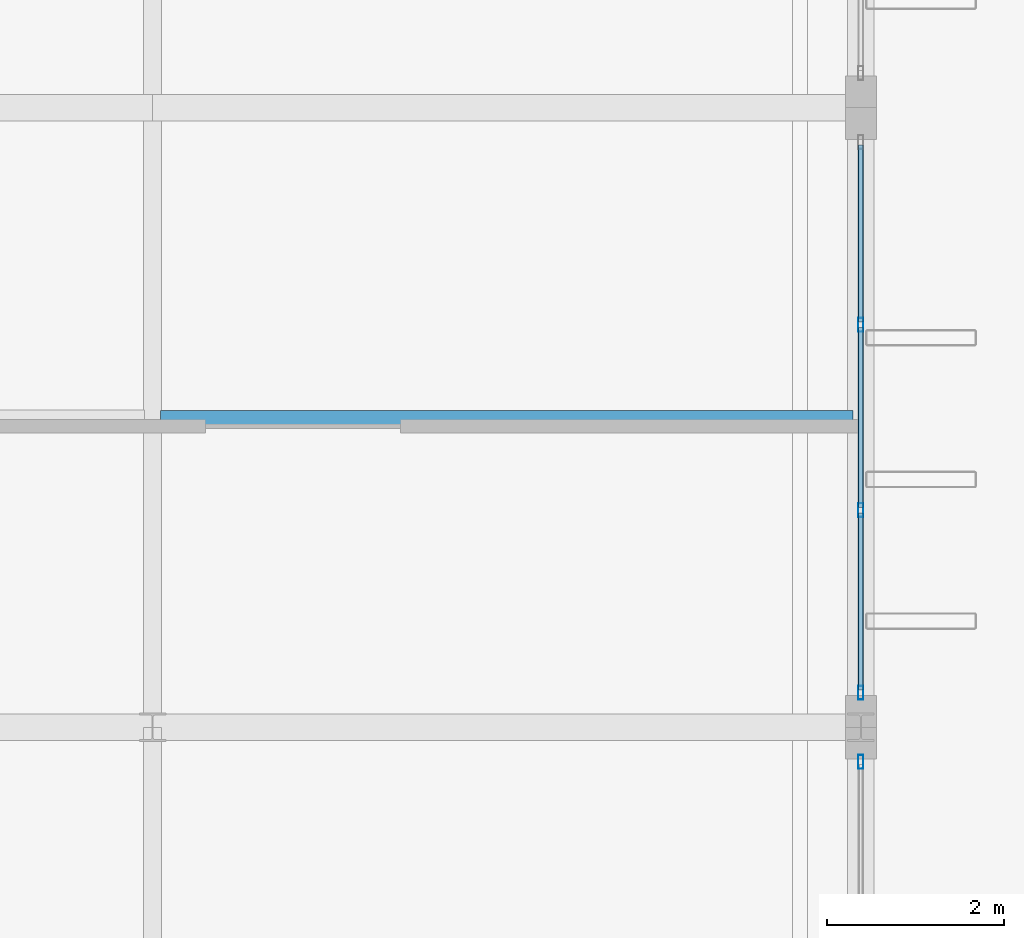
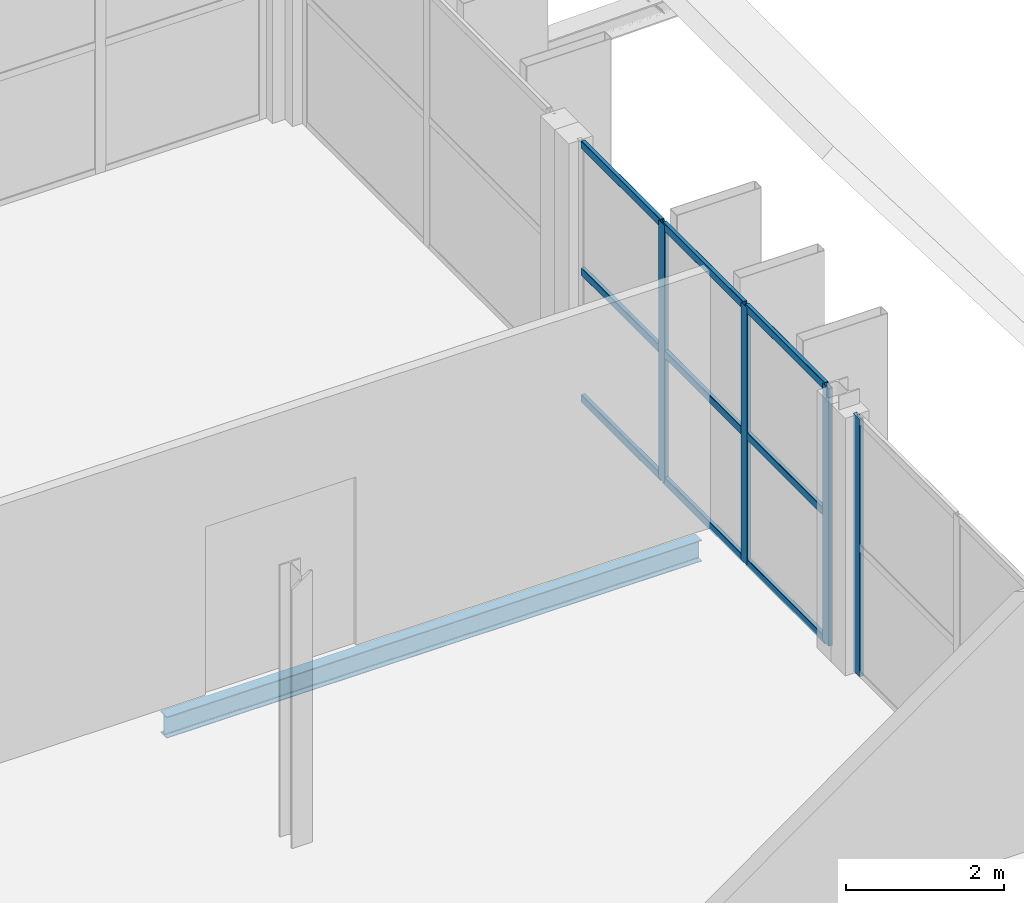
# One storey, part 53 of 93: 13 members, 1 beam, 2 elements without a shape of their own.
"""IFC4 building model written with IfcOpenShell, lengths in metres."""

from ifc_helpers import new_model, si_unit, direction, frame, origin, origin_2d, place, context, subcontext, project, spatial, hollow_rectangle, i_section, extrude, material, layer, layer_set, material_profile, profile_set, type_object, element, aggregate, save


model = new_model("IFC4")

# Units and contexts
model_context = context("Model", 3, precision=1e-05, world=origin(), true_north=direction((0.0, 1.0)))
body_context = subcontext(model_context, "Body", "Model", "MODEL_VIEW")
ifc_project = project(units=[si_unit("LENGTHUNIT", "METRE"), si_unit("AREAUNIT", "SQUARE_METRE"), si_unit("VOLUMEUNIT", "CUBIC_METRE"), si_unit("PLANEANGLEUNIT", "RADIAN"), si_unit("MASSUNIT", "GRAM", prefix="KILO")], contexts=[model_context])

# Site, building, storey
site_placement = place(None, origin())
site = spatial("IfcSite", under=ifc_project, at=site_placement, CompositionType="ELEMENT")
building_placement = place(site_placement, origin())
building = spatial("IfcBuilding", under=site, at=building_placement, Name="Vekula Escarpment Museum", CompositionType="ELEMENT")
storey_placement = place(building_placement, frame((0.0, 0.0, 22.199951171875)))
storey = spatial("IfcBuildingStorey", under=building, at=storey_placement, Name="L05", CompositionType="ELEMENT", Elevation=22.199951171875)

# Beam
ifc_material_1 = material(Name="Steel S355", Category="steel")
ifc_material_profile_1 = material_profile(ifc_material_1, i_section(OverallWidth=0.159912109375, OverallDepth=0.330078125, WebThickness=0.007568359375, FlangeThickness=0.011474609375, FilletRadius=0.01806640625, at=origin_2d()), Name="IPE 330")
ifc_profile_set_1 = profile_set([ifc_material_profile_1], Name="Steel S355")
beam_type = type_object("IfcBeamType", Name="BM-JST-IPE330", PredefinedType="JOIST", material=ifc_profile_set_1)
beam_placement = place(storey_placement, frame((118.090087890625, 79.89990234375, -0.385009765625), z_axis=(1.0, 0.0, 0.0), x_axis=(0.0, 1.0, 0.0)))
element("IfcBeam", 1, at=beam_placement, inside=storey, type_object=beam_type, Name="Secondary Joist L05 1379", PredefinedType="JOIST", context=body_context, shape_type="SweptSolid", body=[
    extrude(i_section(OverallWidth=0.159912109375, OverallDepth=0.330078125, WebThickness=0.007568359375, FlangeThickness=0.011474609375, FilletRadius=0.01806640625, at=origin_2d()), origin(), (0.0, 0.0, 1.0), 7.81982421875),
])

# Curtain wall, member
ifc_material_2 = material(Name="Aluminium thermally broken framing", Category="aluminium")
ifc_layer_1 = layer(ifc_material_2, 0.199951171875)
ifc_layer_set_1 = layer_set([ifc_layer_1], Name="Aluminium thermally broken framing")
curtain_wall_type_1 = type_object("IfcCurtainWallType", Name="CW-SYS-03", PredefinedType="NOTDEFINED", material=ifc_layer_set_1)
curtain_wall_1_placement = place(storey_placement, origin())
curtain_wall_1 = element("IfcCurtainWall", 2, at=curtain_wall_1_placement, inside=storey, type_object=curtain_wall_type_1, Name="Curtain Wall CW-L05-173", PredefinedType="NOTDEFINED")
ifc_material_3 = material(Name="Aluminium anodized mullion", Category="aluminium")
ifc_material_profile_2 = material_profile(ifc_material_3, hollow_rectangle(XDim=0.06005859375, YDim=0.159912109375, WallThickness=0.00390625, InnerFilletRadius=0.00390625, OuterFilletRadius=0.008056640625, at=origin_2d()), Name="ALU 160x60x4")
ifc_profile_set_2 = profile_set([ifc_material_profile_2], Name="Aluminium anodized mullion")
member_type_1 = type_object("IfcMemberType", Name="CW-MUL-160", PredefinedType="MULLION", material=ifc_profile_set_2)
member_1_placement = place(storey_placement, frame((126.0, 76.010009765625, 0.0), z_axis=(0.0, 0.0, 1.0), x_axis=(-1.0, 0.0, 0.0)))
member_1 = element("IfcMember", 3, at=member_1_placement, type_object=member_type_1, Name="CW-03 mullion 4", PredefinedType="MULLION", context=body_context, shape_type="SweptSolid", body=[
    extrude(hollow_rectangle(XDim=0.06005859375, YDim=0.159912109375, WallThickness=0.00390625, InnerFilletRadius=0.00390625, OuterFilletRadius=0.008056640625, at=origin_2d()), origin(), (0.0, 0.0, 1.0), 3.97998046875),
])
aggregate(curtain_wall_1, [member_1])

# Curtain wall, members
ifc_material_4 = material(Name="Aluminium thermally broken framing", Category="aluminium")
ifc_layer_2 = layer(ifc_material_4, 0.199951171875)
ifc_layer_set_2 = layer_set([ifc_layer_2], Name="Aluminium thermally broken framing")
curtain_wall_type_2 = type_object("IfcCurtainWallType", Name="CW-SYS-04", PredefinedType="NOTDEFINED", material=ifc_layer_set_2)
curtain_wall_2_placement = place(storey_placement, origin())
curtain_wall_2 = element("IfcCurtainWall", 4, at=curtain_wall_2_placement, inside=storey, type_object=curtain_wall_type_2, Name="Curtain Wall CW-L05-174", PredefinedType="NOTDEFINED")
member_2_placement = place(storey_placement, frame((126.0, 76.7900390625, 0.0), z_axis=(0.0, 0.0, 1.0), x_axis=(-1.0, 0.0, 0.0)))
member_2 = element("IfcMember", 5, at=member_2_placement, type_object=member_type_1, Name="CW-04 mullion 1", PredefinedType="MULLION", context=body_context, shape_type="SweptSolid", body=[
    extrude(hollow_rectangle(XDim=0.06005859375, YDim=0.159912109375, WallThickness=0.00390625, InnerFilletRadius=0.00390625, OuterFilletRadius=0.008056640625, at=origin_2d()), origin(), (0.0, 0.0, 1.0), 3.97998046875),
])
member_3_placement = place(storey_placement, frame((126.0, 78.853271484375, 0.0), z_axis=(0.0, 0.0, 1.0), x_axis=(-1.0, 0.0, 0.0)))
member_3 = element("IfcMember", 6, at=member_3_placement, type_object=member_type_1, Name="CW-04 mullion 2", PredefinedType="MULLION", context=body_context, shape_type="SweptSolid", body=[
    extrude(hollow_rectangle(XDim=0.06005859375, YDim=0.159912109375, WallThickness=0.00390625, InnerFilletRadius=0.00390625, OuterFilletRadius=0.008056640625, at=origin_2d()), origin(), (0.0, 0.0, 1.0), 3.97998046875),
])
member_4_placement = place(storey_placement, frame((126.0, 80.94677734375, 0.0), z_axis=(0.0, 0.0, 1.0), x_axis=(-1.0, 0.0, 0.0)))
member_4 = element("IfcMember", 7, at=member_4_placement, type_object=member_type_1, Name="CW-04 mullion 3", PredefinedType="MULLION", context=body_context, shape_type="SweptSolid", body=[
    extrude(hollow_rectangle(XDim=0.06005859375, YDim=0.159912109375, WallThickness=0.00390625, InnerFilletRadius=0.00390625, OuterFilletRadius=0.008056640625, at=origin_2d()), origin(), (0.0, 0.0, 1.0), 3.97998046875),
])
ifc_material_5 = material(Name="Aluminium anodized transom", Category="aluminium")
ifc_material_profile_3 = material_profile(ifc_material_5, hollow_rectangle(XDim=0.06005859375, YDim=0.1201171875, WallThickness=0.00390625, InnerFilletRadius=0.00390625, OuterFilletRadius=0.008056640625, at=origin_2d()), Name="ALU 120x60x4")
ifc_profile_set_3 = profile_set([ifc_material_profile_3], Name="Aluminium anodized transom")
member_type_2 = type_object("IfcMemberType", Name="CW-TRN-120", PredefinedType="USERDEFINED", material=ifc_profile_set_3)
member_5_placement = place(storey_placement, frame((126.0, 76.820068359375, 0.030029296875), z_axis=(0.0, 1.0, 0.0), x_axis=(-1.0, 0.0, 0.0)))
member_5 = element("IfcMember", 8, at=member_5_placement, type_object=member_type_2, Name="CW-04 transom 1.1", ObjectType="TRANSOM", PredefinedType="USERDEFINED", context=body_context, shape_type="SweptSolid", body=[
    extrude(hollow_rectangle(XDim=0.06005859375, YDim=0.1201171875, WallThickness=0.00390625, InnerFilletRadius=0.00390625, OuterFilletRadius=0.008056640625, at=origin_2d()), origin(), (0.0, 0.0, 1.0), 2.003173828125),
])
member_6_placement = place(storey_placement, frame((126.0, 76.820068359375, 1.989990234375), z_axis=(0.0, 1.0, 0.0), x_axis=(-1.0, 0.0, 0.0)))
member_6 = element("IfcMember", 9, at=member_6_placement, type_object=member_type_2, Name="CW-04 transom 1.2", ObjectType="TRANSOM", PredefinedType="USERDEFINED", context=body_context, shape_type="SweptSolid", body=[
    extrude(hollow_rectangle(XDim=0.06005859375, YDim=0.1201171875, WallThickness=0.00390625, InnerFilletRadius=0.00390625, OuterFilletRadius=0.008056640625, at=origin_2d()), origin(), (0.0, 0.0, 1.0), 2.003173828125),
])
member_7_placement = place(storey_placement, frame((126.0, 76.820068359375, 3.949951171875), z_axis=(0.0, 1.0, 0.0), x_axis=(-1.0, 0.0, 0.0)))
member_7 = element("IfcMember", 10, at=member_7_placement, type_object=member_type_2, Name="CW-04 transom 1.3", ObjectType="TRANSOM", PredefinedType="USERDEFINED", context=body_context, shape_type="SweptSolid", body=[
    extrude(hollow_rectangle(XDim=0.06005859375, YDim=0.1201171875, WallThickness=0.00390625, InnerFilletRadius=0.00390625, OuterFilletRadius=0.008056640625, at=origin_2d()), origin(), (0.0, 0.0, 1.0), 2.003173828125),
])
member_8_placement = place(storey_placement, frame((126.0, 78.88330078125, 0.030029296875), z_axis=(0.0, 1.0, 0.0), x_axis=(-1.0, 0.0, 0.0)))
member_8 = element("IfcMember", 11, at=member_8_placement, type_object=member_type_2, Name="CW-04 transom 2.1", ObjectType="TRANSOM", PredefinedType="USERDEFINED", context=body_context, shape_type="SweptSolid", body=[
    extrude(hollow_rectangle(XDim=0.06005859375, YDim=0.1201171875, WallThickness=0.00390625, InnerFilletRadius=0.00390625, OuterFilletRadius=0.008056640625, at=origin_2d()), origin(), (0.0, 0.0, 1.0), 2.033447265625),
])
member_9_placement = place(storey_placement, frame((126.0, 78.88330078125, 1.989990234375), z_axis=(0.0, 1.0, 0.0), x_axis=(-1.0, 0.0, 0.0)))
member_9 = element("IfcMember", 12, at=member_9_placement, type_object=member_type_2, Name="CW-04 transom 2.2", ObjectType="TRANSOM", PredefinedType="USERDEFINED", context=body_context, shape_type="SweptSolid", body=[
    extrude(hollow_rectangle(XDim=0.06005859375, YDim=0.1201171875, WallThickness=0.00390625, InnerFilletRadius=0.00390625, OuterFilletRadius=0.008056640625, at=origin_2d()), origin(), (0.0, 0.0, 1.0), 2.033447265625),
])
member_10_placement = place(storey_placement, frame((126.0, 78.88330078125, 3.949951171875), z_axis=(0.0, 1.0, 0.0), x_axis=(-1.0, 0.0, 0.0)))
member_10 = element("IfcMember", 13, at=member_10_placement, type_object=member_type_2, Name="CW-04 transom 2.3", ObjectType="TRANSOM", PredefinedType="USERDEFINED", context=body_context, shape_type="SweptSolid", body=[
    extrude(hollow_rectangle(XDim=0.06005859375, YDim=0.1201171875, WallThickness=0.00390625, InnerFilletRadius=0.00390625, OuterFilletRadius=0.008056640625, at=origin_2d()), origin(), (0.0, 0.0, 1.0), 2.033447265625),
])
member_11_placement = place(storey_placement, frame((126.0, 80.9765625, 0.030029296875), z_axis=(0.0, 1.0, 0.0), x_axis=(-1.0, 0.0, 0.0)))
member_11 = element("IfcMember", 14, at=member_11_placement, type_object=member_type_2, Name="CW-04 transom 3.1", ObjectType="TRANSOM", PredefinedType="USERDEFINED", context=body_context, shape_type="SweptSolid", body=[
    extrude(hollow_rectangle(XDim=0.06005859375, YDim=0.1201171875, WallThickness=0.00390625, InnerFilletRadius=0.00390625, OuterFilletRadius=0.008056640625, at=origin_2d()), origin(), (0.0, 0.0, 1.0), 2.00341796875),
])
member_12_placement = place(storey_placement, frame((126.0, 80.9765625, 1.989990234375), z_axis=(0.0, 1.0, 0.0), x_axis=(-1.0, 0.0, 0.0)))
member_12 = element("IfcMember", 15, at=member_12_placement, type_object=member_type_2, Name="CW-04 transom 3.2", ObjectType="TRANSOM", PredefinedType="USERDEFINED", context=body_context, shape_type="SweptSolid", body=[
    extrude(hollow_rectangle(XDim=0.06005859375, YDim=0.1201171875, WallThickness=0.00390625, InnerFilletRadius=0.00390625, OuterFilletRadius=0.008056640625, at=origin_2d()), origin(), (0.0, 0.0, 1.0), 2.00341796875),
])
member_13_placement = place(storey_placement, frame((126.0, 80.9765625, 3.949951171875), z_axis=(0.0, 1.0, 0.0), x_axis=(-1.0, 0.0, 0.0)))
member_13 = element("IfcMember", 16, at=member_13_placement, type_object=member_type_2, Name="CW-04 transom 3.3", ObjectType="TRANSOM", PredefinedType="USERDEFINED", context=body_context, shape_type="SweptSolid", body=[
    extrude(hollow_rectangle(XDim=0.06005859375, YDim=0.1201171875, WallThickness=0.00390625, InnerFilletRadius=0.00390625, OuterFilletRadius=0.008056640625, at=origin_2d()), origin(), (0.0, 0.0, 1.0), 2.00341796875),
])
aggregate(curtain_wall_2, [member_2, member_3, member_4, member_5, member_6, member_7, member_8, member_9, member_10, member_11, member_12, member_13])

save(model, "model.ifc")
